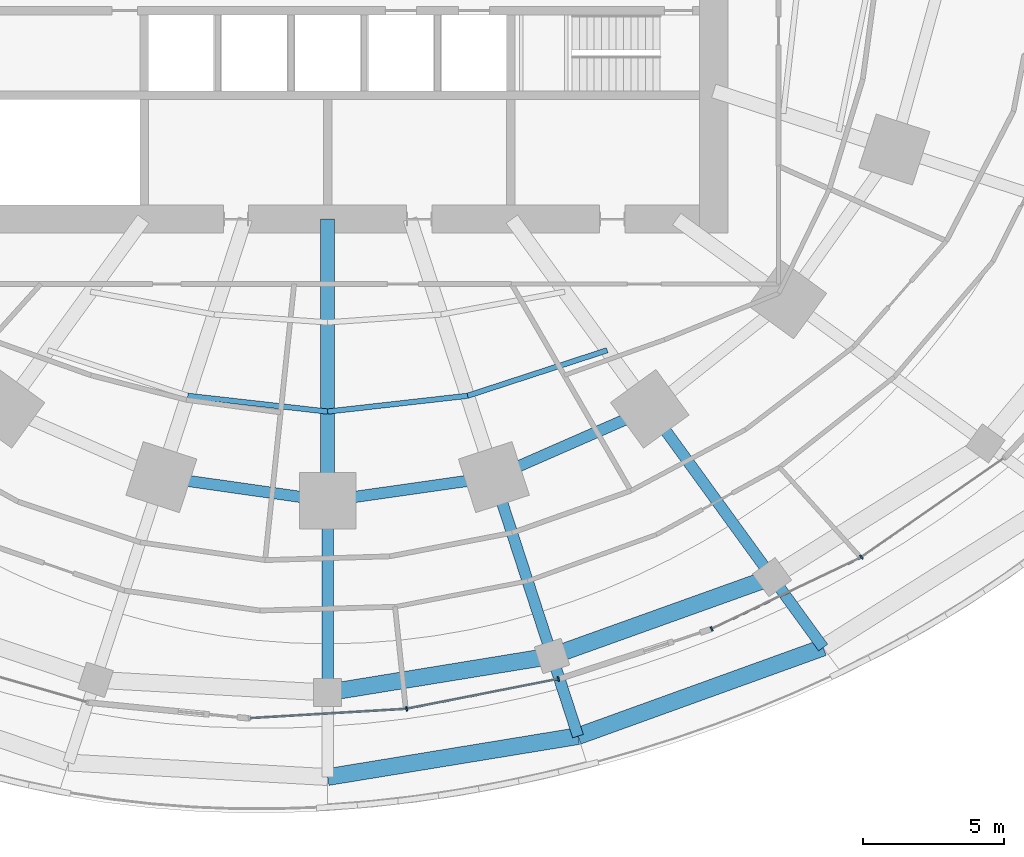
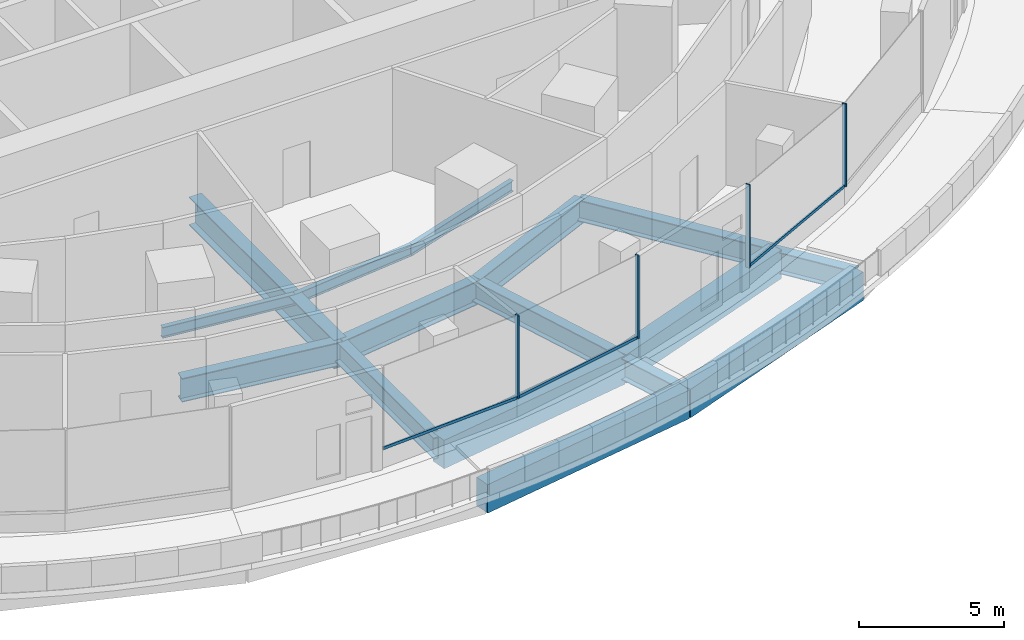
# One storey, part 5 of 26: 16 beams, 7 members, 2 elements without a shape of their own.
"""IFC4 building model written with IfcOpenShell, lengths in metres."""

from ifc_helpers import new_model, si_unit, direction, frame, origin, origin_2d, place, context, subcontext, project, spatial, rectangle, i_section, extrude, material, material_profile, profile_set, type_object, element, aggregate, save


model = new_model("IFC4")

# Units and contexts
model_context = context("Model", 3, precision=1e-05, world=origin(), true_north=direction((0.0, 1.0)))
body_context = subcontext(model_context, "Body", "Model", "MODEL_VIEW")
ifc_project = project(units=[si_unit("LENGTHUNIT", "METRE"), si_unit("AREAUNIT", "SQUARE_METRE"), si_unit("VOLUMEUNIT", "CUBIC_METRE"), si_unit("PLANEANGLEUNIT", "RADIAN"), si_unit("MASSUNIT", "GRAM", prefix="KILO")], contexts=[model_context])

# Site, building, storey
site_placement = place(None, origin())
site = spatial("IfcSite", under=ifc_project, at=site_placement, CompositionType="ELEMENT")
building_placement = place(site_placement, origin())
building = spatial("IfcBuilding", under=site, at=building_placement, Name="Marramba Exchange Tower", CompositionType="ELEMENT")
storey_placement = place(building_placement, frame((0.0, 0.0, 15.10009765625)))
storey = spatial("IfcBuildingStorey", under=building, at=storey_placement, Name="L03", CompositionType="ELEMENT", Elevation=15.10009765625)

# Beams
ifc_material_1 = material(Name="Concrete N50", Category="concrete")
ifc_material_profile_1 = material_profile(ifc_material_1, rectangle(XDim=0.60009765625, YDim=1.199951171875, at=origin_2d()), Name="RC 600x1200")
ifc_profile_set_1 = profile_set([ifc_material_profile_1], Name="Concrete N50")
beam_type_1 = type_object("IfcBeamType", Name="Edge beam RC 600x1200 N50", PredefinedType="SPANDREL", material=ifc_profile_set_1)
beam_1_placement = place(storey_placement, frame((0.0, -28.800048828125, -0.85009765625), z_axis=(0.986899242558, 0.161337797923, 0.0), x_axis=(-0.161337797923, 0.986899242558, 0.0)))
element("IfcBeam", 1, at=beam_1_placement, inside=storey, type_object=beam_type_1, Name="Edge beam L03 P2C16", PredefinedType="SPANDREL", context=body_context, shape_type="SweptSolid", body=[
    extrude(rectangle(XDim=0.60009765625, YDim=1.199951171875, at=origin_2d()), origin(), (0.0, 0.0, 1.0), 9.003662109375),
])
beam_2_placement = place(storey_placement, frame((8.8857421875, -27.347412109375, -0.85009765625), z_axis=(0.940481976413, 0.339843569958, 0.0), x_axis=(-0.339843569958, 0.940481976413, 0.0)))
element("IfcBeam", 2, at=beam_2_placement, inside=storey, type_object=beam_type_1, Name="Edge beam L03 P2C17", PredefinedType="SPANDREL", context=body_context, shape_type="SweptSolid", body=[
    extrude(rectangle(XDim=0.60009765625, YDim=1.199951171875, at=origin_2d()), origin(), (0.0, 0.0, 1.0), 9.25),
])
beam_3_placement = place(storey_placement, frame((0.0, -25.800048828125, -0.800048828125), z_axis=(0.987006935066, 0.160677659091, 0.0), x_axis=(-0.160677659091, 0.987006935066, 0.0)))
element("IfcBeam", 3, at=beam_3_placement, inside=storey, type_object=beam_type_1, Name="Edge beam L03 P3C16", PredefinedType="SPANDREL", context=body_context, shape_type="SweptSolid", body=[
    extrude(rectangle(XDim=0.60009765625, YDim=1.199951171875, at=origin_2d()), origin(), (0.0, 0.0, 1.0), 8.066650390625),
])
beam_4_placement = place(storey_placement, frame((7.9619140625, -24.50390625, -0.800048828125), z_axis=(0.941347695699, 0.337438165895, 0.0), x_axis=(-0.337438165895, 0.941347695699, 0.0)))
element("IfcBeam", 4, at=beam_4_placement, inside=storey, type_object=beam_type_1, Name="Edge beam L03 P3C17", PredefinedType="SPANDREL", context=body_context, shape_type="SweptSolid", body=[
    extrude(rectangle(XDim=0.60009765625, YDim=1.199951171875, at=origin_2d()), origin(), (0.0, 0.0, 1.0), 8.29443359375),
])
ifc_material_2 = material(Name="Steel AS/NZS 3679.1 grade 300", Category="steel")
ifc_material_profile_2 = material_profile(ifc_material_2, i_section(OverallWidth=0.18994140625, OverallDepth=0.4541015625, WebThickness=0.008544921875, FlangeThickness=0.0126953125, FilletRadius=0.011474609375, at=origin_2d()), Name="460UB67.1")
ifc_profile_set_2 = profile_set([ifc_material_profile_2], Name="Steel AS/NZS 3679.1 grade 300")
beam_type_2 = type_object("IfcBeamType", Name="Floor joist 460UB67.1", PredefinedType="JOIST", material=ifc_profile_set_2)
for number, where, z_axis, x_axis, name in (
    (5, (-4.9619140625, -15.271484375, -0.427001953125), (0.993712018573, -0.111966174106, 0.0), (0.111966174106, 0.993712018573, 0.0), "Joist L03 bay 15 row 2"),
    (6, (0.0, -15.83056640625, -0.427001953125), (0.993712018573, 0.111966174106, 0.0), (-0.111966174106, 0.993712018573, 0.0), "Joist L03 bay 16 row 2"),
):
    element("IfcBeam", number, at=place(storey_placement, frame(where, z_axis=z_axis, x_axis=x_axis)), inside=storey, type_object=beam_type_2, Name=name, PredefinedType="JOIST", context=body_context, shape_type="SweptSolid", body=[
        extrude(i_section(OverallWidth=0.18994140625, OverallDepth=0.4541015625, WebThickness=0.008544921875, FlangeThickness=0.0126953125, FilletRadius=0.011474609375, at=origin_2d()), origin(), (0.0, 0.0, 1.0), 4.993408203125),
    ])
beam_5_placement = place(storey_placement, frame((4.9619140625, -15.271484375, -0.427001953125), z_axis=(0.950764024931, 0.309915744834, 0.0), x_axis=(-0.309915744834, 0.950764024931, 0.0)))
element("IfcBeam", 7, at=beam_5_placement, inside=storey, type_object=beam_type_2, Name="Joist L03 bay 17 row 2", PredefinedType="JOIST", context=body_context, shape_type="SweptSolid", body=[
    extrude(i_section(OverallWidth=0.18994140625, OverallDepth=0.4541015625, WebThickness=0.008544921875, FlangeThickness=0.0126953125, FilletRadius=0.011474609375, at=origin_2d()), origin(), (0.0, 0.0, 1.0), 5.2158203125),
])

# Curtain wall, members
ifc_material_3 = material(Name="Aluminium framing, bronze anodised", Category="aluminium")
curtain_wall_type = type_object("IfcCurtainWallType", Name="Podium ribbon curtain wall", PredefinedType="USERDEFINED", material=ifc_material_3)
curtain_wall_1_placement = place(storey_placement, origin())
curtain_wall_1 = element("IfcCurtainWall", 8, at=curtain_wall_1_placement, inside=storey, type_object=curtain_wall_type, Name="Curtain wall CW2 L03 F23-F24", ObjectType="RIBBON CURTAIN WALL", PredefinedType="USERDEFINED")
ifc_material_4 = material(Name="Aluminium mullion, bronze anodised", Category="aluminium")
ifc_material_profile_3 = material_profile(ifc_material_4, rectangle(XDim=0.159912109375, YDim=0.06005859375, at=origin_2d()), Name="CW2 mullion 60x160")
ifc_profile_set_3 = profile_set([ifc_material_profile_3], Name="Aluminium mullion, bronze anodised")
member_type_1 = type_object("IfcMemberType", Name="Podium ribbon curtain wall mullion", PredefinedType="MULLION", material=ifc_profile_set_3)
member_1_placement = place(storey_placement, frame((2.802490234375, -26.37744140625, 0.7998046875), z_axis=(0.0, 0.0, 1.0), x_axis=(-0.192767558666, 0.981244448813, 0.0)))
member_1 = element("IfcMember", 9, at=member_1_placement, type_object=member_type_1, Name="CW2 mullion 1", PredefinedType="MULLION", context=body_context, shape_type="SweptSolid", body=[
    extrude(rectangle(XDim=0.159912109375, YDim=0.06005859375, at=origin_2d()), origin(), (0.0, 0.0, 1.0), 3.5),
])
member_2_placement = place(storey_placement, frame((8.195068359375, -25.318115234375, 0.7998046875), z_axis=(0.0, 0.0, 1.0), x_axis=(-0.192767558666, 0.981244448813, 0.0)))
member_2 = element("IfcMember", 10, at=member_2_placement, type_object=member_type_1, Name="CW2 mullion 2", PredefinedType="MULLION", context=body_context, shape_type="SweptSolid", body=[
    extrude(rectangle(XDim=0.159912109375, YDim=0.06005859375, at=origin_2d()), origin(), (0.0, 0.0, 1.0), 3.5),
])

curtain_wall_2_placement = place(storey_placement, origin())
curtain_wall_2 = element("IfcCurtainWall", 11, at=curtain_wall_2_placement, inside=storey, type_object=curtain_wall_type, Name="Curtain wall CW2 L03 F26-F27", ObjectType="RIBBON CURTAIN WALL", PredefinedType="USERDEFINED")
member_3_placement = place(storey_placement, frame((13.626220703125, -23.54150390625, 0.7998046875), z_axis=(0.0, 0.0, 1.0), x_axis=(-0.431485631167, 0.90211980917, 0.0)))
member_3 = element("IfcMember", 12, at=member_3_placement, type_object=member_type_1, Name="CW2 mullion 1", PredefinedType="MULLION", context=body_context, shape_type="SweptSolid", body=[
    extrude(rectangle(XDim=0.159912109375, YDim=0.06005859375, at=origin_2d()), origin(), (0.0, 0.0, 1.0), 3.5),
])
member_4_placement = place(storey_placement, frame((18.942626953125, -20.993408203125, 0.7998046875), z_axis=(0.0, 0.0, 1.0), x_axis=(-0.570586233321, 0.821237694181, 0.0)))
member_4 = element("IfcMember", 13, at=member_4_placement, type_object=member_type_1, Name="CW2 mullion 1", PredefinedType="MULLION", context=body_context, shape_type="SweptSolid", body=[
    extrude(rectangle(XDim=0.159912109375, YDim=0.06005859375, at=origin_2d()), origin(), (0.0, 0.0, 1.0), 3.5),
])

# Member
ifc_material_5 = material(Name="Aluminium transom, bronze anodised", Category="aluminium")
ifc_material_profile_4 = material_profile(ifc_material_5, rectangle(XDim=0.06005859375, YDim=0.1201171875, at=origin_2d()), Name="CW2 transom 60x120")
ifc_profile_set_4 = profile_set([ifc_material_profile_4], Name="Aluminium transom, bronze anodised")
member_type_2 = type_object("IfcMemberType", Name="Podium ribbon curtain wall transom", PredefinedType="USERDEFINED", material=ifc_profile_set_4)
member_5_placement = place(storey_placement, frame((-2.748046875, -26.712158203125, 0.829833984375), z_axis=(0.998230719683, 0.059459484364, 0.0), x_axis=(-0.059459484364, 0.998230719683, 0.0)))
member_5 = element("IfcMember", 14, at=member_5_placement, type_object=member_type_2, Name="CW2 sill transom", ObjectType="TRANSOM", PredefinedType="USERDEFINED", context=body_context, shape_type="SweptSolid", body=[
    extrude(rectangle(XDim=0.06005859375, YDim=0.1201171875, at=origin_2d()), origin(), (0.0, 0.0, 1.0), 5.53076171875),
])

member_6_placement = place(storey_placement, frame((2.831787109375, -26.371826171875, 0.829833984375), z_axis=(0.981243510963, 0.192772332542, 0.0), x_axis=(-0.192772332542, 0.981243510963, 0.0)))
member_6 = element("IfcMember", 15, at=member_6_placement, type_object=member_type_2, Name="CW2 sill transom", ObjectType="TRANSOM", PredefinedType="USERDEFINED", context=body_context, shape_type="SweptSolid", body=[
    extrude(rectangle(XDim=0.06005859375, YDim=0.1201171875, at=origin_2d()), origin(), (0.0, 0.0, 1.0), 5.435791015625),
])

aggregate(curtain_wall_1, [member_5, member_1, member_2, member_6])

member_7_placement = place(storey_placement, frame((13.6533203125, -23.528564453125, 0.829833984375), z_axis=(0.902121477777, 0.431482142543, 0.0), x_axis=(-0.431482142543, 0.902121477777, 0.0)))
member_7 = element("IfcMember", 16, at=member_7_placement, type_object=member_type_2, Name="CW2 sill transom", ObjectType="TRANSOM", PredefinedType="USERDEFINED", context=body_context, shape_type="SweptSolid", body=[
    extrude(rectangle(XDim=0.06005859375, YDim=0.1201171875, at=origin_2d()), origin(), (0.0, 0.0, 1.0), 5.8359375),
])

aggregate(curtain_wall_2, [member_3, member_7, member_4])

# Beams
ifc_material_6 = material(Name="Steel AS/NZS 3679.2 grade 300", Category="steel")
ifc_material_profile_5 = material_profile(ifc_material_6, i_section(OverallWidth=0.5, OverallDepth=1.199951171875, WebThickness=0.01611328125, FlangeThickness=0.0400390625, at=origin_2d()), Name="1200WB455")
ifc_profile_set_5 = profile_set([ifc_material_profile_5], Name="Steel AS/NZS 3679.2 grade 300")
beam_type_3 = type_object("IfcBeamType", Name="Radial girder 1200WB455", PredefinedType="BEAM", material=ifc_profile_set_5)
beam_6_placement = place(storey_placement, frame((0.0, -9.0, -0.800048828125), z_axis=(0.0, -1.0, 0.0), x_axis=(1.0, 0.0, 0.0)))
element("IfcBeam", 17, at=beam_6_placement, inside=storey, type_object=beam_type_3, Name="Radial girder L03 TC16", PredefinedType="BEAM", context=body_context, shape_type="SweptSolid", body=[
    extrude(i_section(OverallWidth=0.5, OverallDepth=1.199951171875, WebThickness=0.01611328125, FlangeThickness=0.0400390625, at=origin_2d()), origin(), (0.0, 0.0, 1.0), 9.99609375),
])
ifc_material_profile_6 = material_profile(ifc_material_6, i_section(OverallWidth=0.39990234375, OverallDepth=0.89990234375, WebThickness=0.01611328125, FlangeThickness=0.031982421875, at=origin_2d()), Name="900WB282")
ifc_profile_set_6 = profile_set([ifc_material_profile_6], Name="Steel AS/NZS 3679.2 grade 300")
beam_type_4 = type_object("IfcBeamType", Name="Radial girder 900WB282", PredefinedType="BEAM", material=ifc_profile_set_6)
beam_7_placement = place(storey_placement, frame((8.8857421875, -27.347412109375, -0.7001953125), z_axis=(-0.308991903915, 0.951064668314, 0.0), x_axis=(-0.951064668314, -0.308991903915, 0.0)))
element("IfcBeam", 18, at=beam_7_placement, inside=storey, type_object=beam_type_4, Name="Radial girder L03 P2C17", PredefinedType="BEAM", context=body_context, shape_type="SweptSolid", body=[
    extrude(i_section(OverallWidth=0.39990234375, OverallDepth=0.89990234375, WebThickness=0.01611328125, FlangeThickness=0.031982421875, at=origin_2d()), origin(), (0.0, 0.0, 1.0), 2.98974609375),
])
beam_8_placement = place(storey_placement, frame((17.585205078125, -24.203857421875, -0.7001953125), z_axis=(-0.587776831065, 0.809023112688, 0.0), x_axis=(-0.809023112688, -0.587776831065, 0.0)))
element("IfcBeam", 19, at=beam_8_placement, inside=storey, type_object=beam_type_4, Name="Radial girder L03 P2C18", PredefinedType="BEAM", context=body_context, shape_type="SweptSolid", body=[
    extrude(i_section(OverallWidth=0.39990234375, OverallDepth=0.89990234375, WebThickness=0.01611328125, FlangeThickness=0.031982421875, at=origin_2d()), origin(), (0.0, 0.0, 1.0), 3.088623046875),
])
beam_9_placement = place(storey_placement, frame((0.0, -25.800048828125, -0.650146484375), z_axis=(0.0, 1.0, 0.0), x_axis=(-1.0, 0.0, 0.0)))
element("IfcBeam", 20, at=beam_9_placement, inside=storey, type_object=beam_type_4, Name="Radial girder L03 P3C16", PredefinedType="BEAM", context=body_context, shape_type="SweptSolid", body=[
    extrude(i_section(OverallWidth=0.39990234375, OverallDepth=0.89990234375, WebThickness=0.01611328125, FlangeThickness=0.031982421875, at=origin_2d()), origin(), (0.0, 0.0, 1.0), 6.803955078125),
])
beam_10_placement = place(storey_placement, frame((7.9619140625, -24.50390625, -0.650146484375), z_axis=(-0.309019067689, 0.951055842632, 0.0), x_axis=(-0.951055842632, -0.309019067689, 0.0)))
element("IfcBeam", 21, at=beam_10_placement, inside=storey, type_object=beam_type_4, Name="Radial girder L03 P3C17", PredefinedType="BEAM", context=body_context, shape_type="SweptSolid", body=[
    extrude(i_section(OverallWidth=0.39990234375, OverallDepth=0.89990234375, WebThickness=0.01611328125, FlangeThickness=0.031982421875, at=origin_2d()), origin(), (0.0, 0.0, 1.0), 6.673583984375),
])
beam_11_placement = place(storey_placement, frame((15.769775390625, -21.705078125, -0.650146484375), z_axis=(-0.587798025762, 0.809007713752, 0.0), x_axis=(-0.809007713752, -0.587798025762, 0.0)))
element("IfcBeam", 22, at=beam_11_placement, inside=storey, type_object=beam_type_4, Name="Radial girder L03 P3C18", PredefinedType="BEAM", context=body_context, shape_type="SweptSolid", body=[
    extrude(i_section(OverallWidth=0.39990234375, OverallDepth=0.89990234375, WebThickness=0.01611328125, FlangeThickness=0.031982421875, at=origin_2d()), origin(), (0.0, 0.0, 1.0), 7.38232421875),
])
ifc_material_profile_7 = material_profile(ifc_material_6, i_section(OverallWidth=0.39990234375, OverallDepth=1.0, WebThickness=0.01611328125, FlangeThickness=0.031982421875, at=origin_2d()), Name="1000WB322")
ifc_profile_set_7 = profile_set([ifc_material_profile_7], Name="Steel AS/NZS 3679.2 grade 300")
beam_type_5 = type_object("IfcBeamType", Name="Ring beam 1000WB322", PredefinedType="SPANDREL", material=ifc_profile_set_7)
for number, where, z_axis, x_axis, name in (
    (23, (-5.899658203125, -18.156982421875, -0.7001953125), (0.990036163016, -0.140813337152, 0.0), (0.140813337152, 0.990036163016, 0.0), "Ring beam L03 TC15-TC16"),
    (24, (0.0, -18.99609375, -0.7001953125), (0.990036163016, 0.140813337152, 0.0), (-0.140813337152, 0.990036163016, 0.0), "Ring beam L03 TC16-TC17"),
):
    element("IfcBeam", number, at=place(storey_placement, frame(where, z_axis=z_axis, x_axis=x_axis)), inside=storey, type_object=beam_type_5, Name=name, PredefinedType="SPANDREL", context=body_context, shape_type="SweptSolid", body=[
        extrude(i_section(OverallWidth=0.39990234375, OverallDepth=1.0, WebThickness=0.01611328125, FlangeThickness=0.031982421875, at=origin_2d()), origin(), (0.0, 0.0, 1.0), 5.958984375),
    ])
beam_12_placement = place(storey_placement, frame((5.899658203125, -18.156982421875, -0.7001953125), z_axis=(0.915876892158, 0.4014592363, 0.0), x_axis=(-0.4014592363, 0.915876892158, 0.0)))
element("IfcBeam", 25, at=beam_12_placement, inside=storey, type_object=beam_type_5, Name="Ring beam L03 TC17-TC18", PredefinedType="SPANDREL", context=body_context, shape_type="SweptSolid", body=[
    extrude(i_section(OverallWidth=0.39990234375, OverallDepth=1.0, WebThickness=0.01611328125, FlangeThickness=0.031982421875, at=origin_2d()), origin(), (0.0, 0.0, 1.0), 6.038818359375),
])

save(model, "model.ifc")
